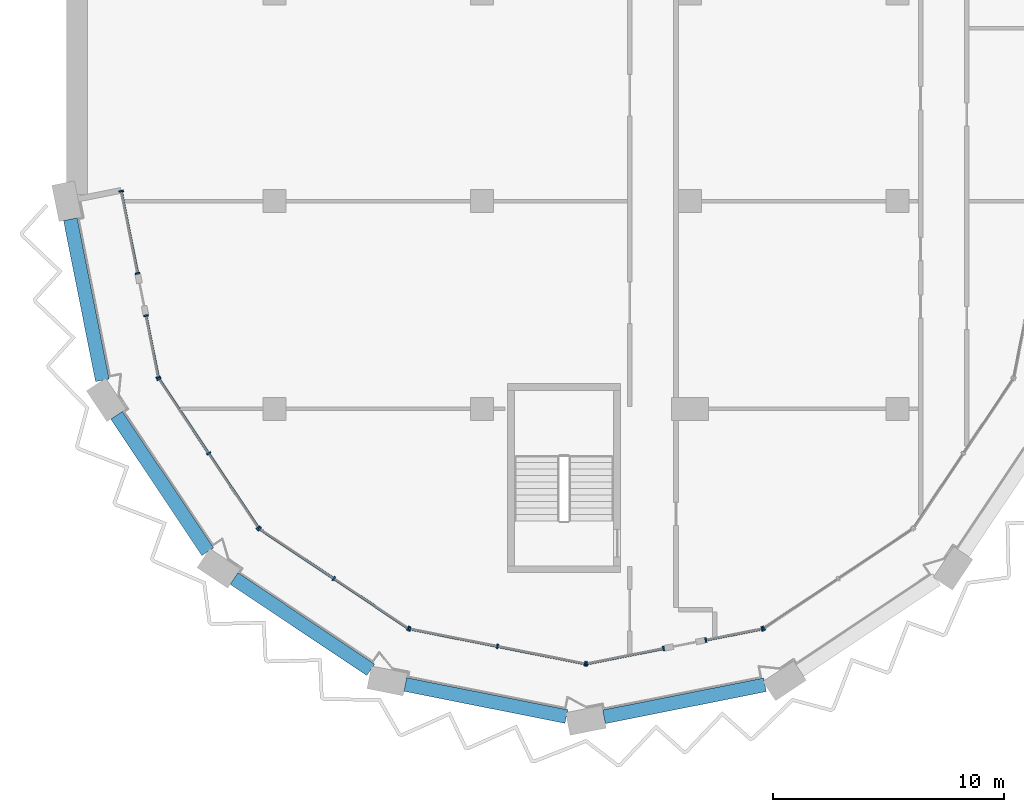
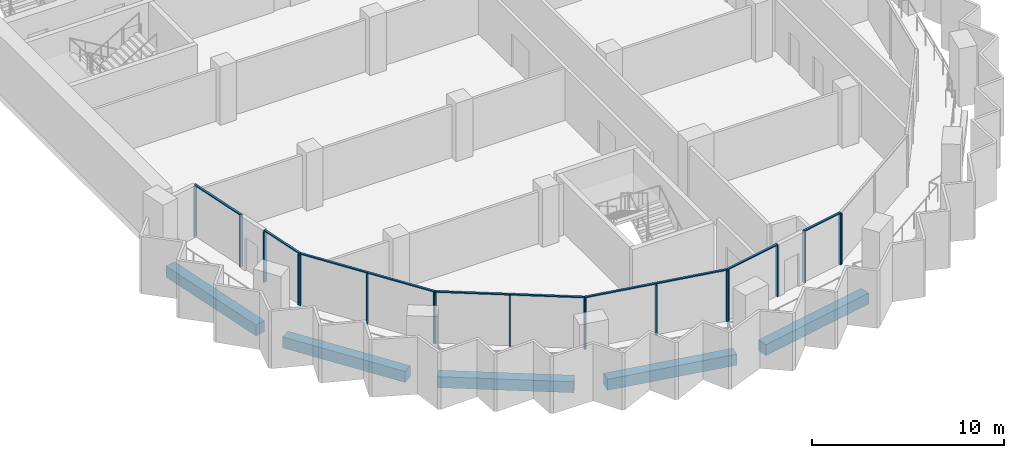
# One storey, part 2 of 16: 25 members, 5 beams, 8 elements without a shape of their own.
"""IFC4 building model written with IfcOpenShell, lengths in metres."""

from ifc_helpers import new_model, si_unit, direction, frame, origin, origin_2d, place, context, subcontext, project, spatial, rectangle, extrude, material, material_profile, profile_set, type_object, element, aggregate, save


model = new_model("IFC4")

# Units and contexts
model_context = context("Model", 3, precision=1e-05, world=origin(), true_north=direction((0.0, 1.0)))
body_context = subcontext(model_context, "Body", "Model", "MODEL_VIEW")
ifc_project = project(units=[si_unit("LENGTHUNIT", "METRE"), si_unit("AREAUNIT", "SQUARE_METRE"), si_unit("VOLUMEUNIT", "CUBIC_METRE"), si_unit("PLANEANGLEUNIT", "RADIAN"), si_unit("MASSUNIT", "GRAM", prefix="KILO")], contexts=[model_context])

# Site, building, storey
site_placement = place(None, origin())
site = spatial("IfcSite", under=ifc_project, at=site_placement, CompositionType="ELEMENT")
building_placement = place(site_placement, origin())
building = spatial("IfcBuilding", under=site, at=building_placement, Name="Hunhe Ridgeline Campus", CompositionType="ELEMENT")
storey_placement = place(building_placement, frame((0.0, 0.0, 239.199951171875)))
storey = spatial("IfcBuildingStorey", under=building, at=storey_placement, Name="L61", CompositionType="ELEMENT", Elevation=239.199951171875)

# Curtain wall, members
ifc_material_1 = material(Name="Aluminium 6063", Category="aluminium")
curtain_wall_type = type_object("IfcCurtainWallType", Name="Curtain wall CW-5", PredefinedType="NOTDEFINED", material=ifc_material_1)
curtain_wall_1_placement = place(storey_placement, origin())
curtain_wall_1 = element("IfcCurtainWall", 1, at=curtain_wall_1_placement, inside=storey, type_object=curtain_wall_type, Name="Curtain wall 01", PredefinedType="NOTDEFINED")
ifc_material_profile_1 = material_profile(ifc_material_1, rectangle(XDim=0.199951171875, YDim=0.070068359375, at=origin_2d()))
ifc_profile_set_1 = profile_set([ifc_material_profile_1], Name="Aluminium 6063")
member_type_1 = type_object("IfcMemberType", Name="CW-5 aluminium mullion", PredefinedType="MULLION", material=ifc_profile_set_1)
member_1_placement = place(storey_placement, frame((2.361572265625, 45.434326171875, 0.0), z_axis=(0.0, 0.0, 1.0), x_axis=(0.980784284924, 0.195095326561, 0.0)))
member_1 = element("IfcMember", 2, at=member_1_placement, type_object=member_type_1, Name="CW-5 mullion 1", PredefinedType="MULLION", context=body_context, shape_type="SweptSolid", body=[
    extrude(rectangle(XDim=0.199951171875, YDim=0.070068359375, at=origin_2d()), origin(), (0.0, 0.0, 1.0), 3.22998046875),
])
member_2_placement = place(storey_placement, frame((3.070068359375, 41.873291015625, 0.0), z_axis=(0.0, 0.0, 1.0), x_axis=(0.980784284924, 0.195095326561, 0.0)))
member_2 = element("IfcMember", 3, at=member_2_placement, type_object=member_type_1, Name="CW-5 mullion 2", PredefinedType="MULLION", context=body_context, shape_type="SweptSolid", body=[
    extrude(rectangle(XDim=0.199951171875, YDim=0.070068359375, at=origin_2d()), origin(), (0.0, 0.0, 1.0), 3.22998046875),
])

curtain_wall_2_placement = place(storey_placement, origin())
curtain_wall_2 = element("IfcCurtainWall", 4, at=curtain_wall_2_placement, inside=storey, type_object=curtain_wall_type, Name="Curtain wall 02", PredefinedType="NOTDEFINED")
member_3_placement = place(storey_placement, frame((3.434814453125, 40.0390625, 0.0), z_axis=(0.0, 0.0, 1.0), x_axis=(0.980784297053, 0.195095265587, 0.0)))
member_3 = element("IfcMember", 5, at=member_3_placement, type_object=member_type_1, Name="CW-5 mullion 1", PredefinedType="MULLION", context=body_context, shape_type="SweptSolid", body=[
    extrude(rectangle(XDim=0.199951171875, YDim=0.070068359375, at=origin_2d()), origin(), (0.0, 0.0, 1.0), 3.22998046875),
])
member_4_placement = place(storey_placement, frame((3.967529296875, 37.36083984375, 0.0), z_axis=(0.0, 0.0, 1.0), x_axis=(0.980784297053, 0.195095265587, 0.0)))
member_4 = element("IfcMember", 6, at=member_4_placement, type_object=member_type_1, Name="CW-5 mullion 2", PredefinedType="MULLION", context=body_context, shape_type="SweptSolid", body=[
    extrude(rectangle(XDim=0.199951171875, YDim=0.070068359375, at=origin_2d()), origin(), (0.0, 0.0, 1.0), 3.22998046875),
])

curtain_wall_3_placement = place(storey_placement, origin())
curtain_wall_3 = element("IfcCurtainWall", 7, at=curtain_wall_3_placement, inside=storey, type_object=curtain_wall_type, Name="Curtain wall 03", PredefinedType="NOTDEFINED")
member_5_placement = place(storey_placement, frame((3.993896484375, 37.29736328125, 0.0), z_axis=(0.0, 0.0, 1.0), x_axis=(0.831469584522, 0.555570274596, 0.0)))
member_5 = element("IfcMember", 8, at=member_5_placement, type_object=member_type_1, Name="CW-5 mullion 1", PredefinedType="MULLION", context=body_context, shape_type="SweptSolid", body=[
    extrude(rectangle(XDim=0.199951171875, YDim=0.070068359375, at=origin_2d()), origin(), (0.0, 0.0, 1.0), 3.22998046875),
])
member_6_placement = place(storey_placement, frame((6.147705078125, 34.07373046875, 0.0), z_axis=(0.0, 0.0, 1.0), x_axis=(0.831469584522, 0.555570274596, 0.0)))
member_6 = element("IfcMember", 9, at=member_6_placement, type_object=member_type_1, Name="CW-5 mullion 2", PredefinedType="MULLION", context=body_context, shape_type="SweptSolid", body=[
    extrude(rectangle(XDim=0.199951171875, YDim=0.070068359375, at=origin_2d()), origin(), (0.0, 0.0, 1.0), 3.22998046875),
])
member_7_placement = place(storey_placement, frame((8.3017578125, 30.850341796875, 0.0), z_axis=(0.0, 0.0, 1.0), x_axis=(0.831469584522, 0.555570274596, 0.0)))
member_7 = element("IfcMember", 10, at=member_7_placement, type_object=member_type_1, Name="CW-5 mullion 3", PredefinedType="MULLION", context=body_context, shape_type="SweptSolid", body=[
    extrude(rectangle(XDim=0.199951171875, YDim=0.070068359375, at=origin_2d()), origin(), (0.0, 0.0, 1.0), 3.22998046875),
])

curtain_wall_4_placement = place(storey_placement, origin())
curtain_wall_4 = element("IfcCurtainWall", 11, at=curtain_wall_4_placement, inside=storey, type_object=curtain_wall_type, Name="Curtain wall 04", PredefinedType="NOTDEFINED")
member_8_placement = place(storey_placement, frame((8.350341796875, 30.8017578125, 0.0), z_axis=(0.0, 0.0, 1.0), x_axis=(0.555570274596, 0.831469584522, 0.0)))
member_8 = element("IfcMember", 12, at=member_8_placement, type_object=member_type_1, Name="CW-5 mullion 1", PredefinedType="MULLION", context=body_context, shape_type="SweptSolid", body=[
    extrude(rectangle(XDim=0.199951171875, YDim=0.070068359375, at=origin_2d()), origin(), (0.0, 0.0, 1.0), 3.22998046875),
])
member_9_placement = place(storey_placement, frame((11.57373046875, 28.647705078125, 0.0), z_axis=(0.0, 0.0, 1.0), x_axis=(0.555570274596, 0.831469584522, 0.0)))
member_9 = element("IfcMember", 13, at=member_9_placement, type_object=member_type_1, Name="CW-5 mullion 2", PredefinedType="MULLION", context=body_context, shape_type="SweptSolid", body=[
    extrude(rectangle(XDim=0.199951171875, YDim=0.070068359375, at=origin_2d()), origin(), (0.0, 0.0, 1.0), 3.22998046875),
])
member_10_placement = place(storey_placement, frame((14.79736328125, 26.493896484375, 0.0), z_axis=(0.0, 0.0, 1.0), x_axis=(0.555570274596, 0.831469584522, 0.0)))
member_10 = element("IfcMember", 14, at=member_10_placement, type_object=member_type_1, Name="CW-5 mullion 3", PredefinedType="MULLION", context=body_context, shape_type="SweptSolid", body=[
    extrude(rectangle(XDim=0.199951171875, YDim=0.070068359375, at=origin_2d()), origin(), (0.0, 0.0, 1.0), 3.22998046875),
])

curtain_wall_5_placement = place(storey_placement, origin())
curtain_wall_5 = element("IfcCurtainWall", 15, at=curtain_wall_5_placement, inside=storey, type_object=curtain_wall_type, Name="Curtain wall 05", PredefinedType="NOTDEFINED")
member_11_placement = place(storey_placement, frame((14.86083984375, 26.467529296875, 0.0), z_axis=(0.0, 0.0, 1.0), x_axis=(0.195090347539, 0.980785275326, 0.0)))
member_11 = element("IfcMember", 16, at=member_11_placement, type_object=member_type_1, Name="CW-5 mullion 1", PredefinedType="MULLION", context=body_context, shape_type="SweptSolid", body=[
    extrude(rectangle(XDim=0.199951171875, YDim=0.070068359375, at=origin_2d()), origin(), (0.0, 0.0, 1.0), 3.22998046875),
])
member_12_placement = place(storey_placement, frame((18.663330078125, 25.711181640625, 0.0), z_axis=(0.0, 0.0, 1.0), x_axis=(0.195090347539, 0.980785275326, 0.0)))
member_12 = element("IfcMember", 17, at=member_12_placement, type_object=member_type_1, Name="CW-5 mullion 2", PredefinedType="MULLION", context=body_context, shape_type="SweptSolid", body=[
    extrude(rectangle(XDim=0.199951171875, YDim=0.070068359375, at=origin_2d()), origin(), (0.0, 0.0, 1.0), 3.22998046875),
])
member_13_placement = place(storey_placement, frame((22.465576171875, 24.954833984375, 0.0), z_axis=(0.0, 0.0, 1.0), x_axis=(0.195090347539, 0.980785275326, 0.0)))
member_13 = element("IfcMember", 18, at=member_13_placement, type_object=member_type_1, Name="CW-5 mullion 3", PredefinedType="MULLION", context=body_context, shape_type="SweptSolid", body=[
    extrude(rectangle(XDim=0.199951171875, YDim=0.070068359375, at=origin_2d()), origin(), (0.0, 0.0, 1.0), 3.22998046875),
])

curtain_wall_6_placement = place(storey_placement, origin())
curtain_wall_6 = element("IfcCurtainWall", 19, at=curtain_wall_6_placement, inside=storey, type_object=curtain_wall_type, Name="Curtain wall 06", PredefinedType="NOTDEFINED")
member_14_placement = place(storey_placement, frame((22.534423828125, 24.954833984375, 0.0), z_axis=(0.0, 0.0, 1.0), x_axis=(-0.19509037034, 0.980785270791, 0.0)))
member_14 = element("IfcMember", 20, at=member_14_placement, type_object=member_type_1, Name="CW-5 mullion 1", PredefinedType="MULLION", context=body_context, shape_type="SweptSolid", body=[
    extrude(rectangle(XDim=0.199951171875, YDim=0.070068359375, at=origin_2d()), origin(), (0.0, 0.0, 1.0), 3.22998046875),
])
member_15_placement = place(storey_placement, frame((25.861083984375, 25.61669921875, 0.0), z_axis=(0.0, 0.0, 1.0), x_axis=(-0.19509037034, 0.980785270791, 0.0)))
member_15 = element("IfcMember", 21, at=member_15_placement, type_object=member_type_1, Name="CW-5 mullion 2", PredefinedType="MULLION", context=body_context, shape_type="SweptSolid", body=[
    extrude(rectangle(XDim=0.199951171875, YDim=0.070068359375, at=origin_2d()), origin(), (0.0, 0.0, 1.0), 3.22998046875),
])

curtain_wall_7_placement = place(storey_placement, origin())
curtain_wall_7 = element("IfcCurtainWall", 22, at=curtain_wall_7_placement, inside=storey, type_object=curtain_wall_type, Name="Curtain wall 07", PredefinedType="NOTDEFINED")
member_16_placement = place(storey_placement, frame((27.695068359375, 25.9814453125, 0.0), z_axis=(0.0, 0.0, 1.0), x_axis=(-0.195090514627, 0.980785242091, 0.0)))
member_16 = element("IfcMember", 23, at=member_16_placement, type_object=member_type_1, Name="CW-5 mullion 1", PredefinedType="MULLION", context=body_context, shape_type="SweptSolid", body=[
    extrude(rectangle(XDim=0.199951171875, YDim=0.070068359375, at=origin_2d()), origin(), (0.0, 0.0, 1.0), 3.22998046875),
])
member_17_placement = place(storey_placement, frame((30.13916015625, 26.467529296875, 0.0), z_axis=(0.0, 0.0, 1.0), x_axis=(-0.195090514627, 0.980785242091, 0.0)))
member_17 = element("IfcMember", 24, at=member_17_placement, type_object=member_type_1, Name="CW-5 mullion 2", PredefinedType="MULLION", context=body_context, shape_type="SweptSolid", body=[
    extrude(rectangle(XDim=0.199951171875, YDim=0.070068359375, at=origin_2d()), origin(), (0.0, 0.0, 1.0), 3.22998046875),
])

# Curtain wall, member
curtain_wall_8_placement = place(storey_placement, origin())
curtain_wall_8 = element("IfcCurtainWall", 25, at=curtain_wall_8_placement, inside=storey, type_object=curtain_wall_type, Name="Curtain wall 08", PredefinedType="NOTDEFINED")
member_18_placement = place(storey_placement, frame((30.20263671875, 26.493896484375, 0.0), z_axis=(0.0, 0.0, 1.0), x_axis=(-0.555570274596, 0.831469584522, 0.0)))
member_18 = element("IfcMember", 26, at=member_18_placement, type_object=member_type_1, Name="CW-5 mullion 1", PredefinedType="MULLION", context=body_context, shape_type="SweptSolid", body=[
    extrude(rectangle(XDim=0.199951171875, YDim=0.070068359375, at=origin_2d()), origin(), (0.0, 0.0, 1.0), 3.22998046875),
])
aggregate(curtain_wall_8, [member_18])

# Member
ifc_material_profile_2 = material_profile(ifc_material_1, rectangle(XDim=0.1201171875, YDim=0.070068359375, at=origin_2d()))
ifc_profile_set_2 = profile_set([ifc_material_profile_2], Name="Aluminium 6063")
member_type_2 = type_object("IfcMemberType", Name="CW-5 aluminium transom", PredefinedType="USERDEFINED", material=ifc_profile_set_2)
member_19_placement = place(storey_placement, frame((2.354736328125, 45.46875, 3.26513671875), z_axis=(0.195126549745, -0.980778073564, 0.0), x_axis=(0.980778073564, 0.195126549745, 0.0)))
member_19 = element("IfcMember", 27, at=member_19_placement, type_object=member_type_2, Name="CW-5 transom 1", ObjectType="TRANSOM", PredefinedType="USERDEFINED", context=body_context, shape_type="SweptSolid", body=[
    extrude(rectangle(XDim=0.1201171875, YDim=0.070068359375, at=origin_2d()), origin(), (0.0, 0.0, 1.0), 3.700927734375),
])

aggregate(curtain_wall_1, [member_19, member_1, member_2])

member_20_placement = place(storey_placement, frame((3.427978515625, 40.073486328125, 3.26513671875), z_axis=(0.195076742145, -0.98078798151, 0.0), x_axis=(0.98078798151, 0.195076742145, 0.0)))
member_20 = element("IfcMember", 28, at=member_20_placement, type_object=member_type_2, Name="CW-5 transom 1", ObjectType="TRANSOM", PredefinedType="USERDEFINED", context=body_context, shape_type="SweptSolid", body=[
    extrude(rectangle(XDim=0.1201171875, YDim=0.070068359375, at=origin_2d()), origin(), (0.0, 0.0, 1.0), 2.80078125),
])

aggregate(curtain_wall_2, [member_20, member_3, member_4])

member_21_placement = place(storey_placement, frame((3.974365234375, 37.326416015625, 3.26513671875), z_axis=(0.5555640203, -0.831473763475, 0.0), x_axis=(0.831473763475, 0.5555640203, 0.0)))
member_21 = element("IfcMember", 29, at=member_21_placement, type_object=member_type_2, Name="CW-5 transom 1", ObjectType="TRANSOM", PredefinedType="USERDEFINED", context=body_context, shape_type="SweptSolid", body=[
    extrude(rectangle(XDim=0.1201171875, YDim=0.070068359375, at=origin_2d()), origin(), (0.0, 0.0, 1.0), 7.823974609375),
])

aggregate(curtain_wall_3, [member_21, member_5, member_6, member_7])

member_22_placement = place(storey_placement, frame((8.321044921875, 30.821044921875, 3.26513671875), z_axis=(0.831473763475, -0.5555640203, 0.0), x_axis=(0.5555640203, 0.831473763475, 0.0)))
member_22 = element("IfcMember", 30, at=member_22_placement, type_object=member_type_2, Name="CW-5 transom 1", ObjectType="TRANSOM", PredefinedType="USERDEFINED", context=body_context, shape_type="SweptSolid", body=[
    extrude(rectangle(XDim=0.1201171875, YDim=0.070068359375, at=origin_2d()), origin(), (0.0, 0.0, 1.0), 7.823974609375),
])

aggregate(curtain_wall_4, [member_22, member_8, member_9, member_10])

member_23_placement = place(storey_placement, frame((14.826416015625, 26.474365234375, 3.26513671875), z_axis=(0.980785367689, -0.195089883198, 0.0), x_axis=(0.195089883198, 0.980785367689, 0.0)))
member_23 = element("IfcMember", 31, at=member_23_placement, type_object=member_type_2, Name="CW-5 transom 1", ObjectType="TRANSOM", PredefinedType="USERDEFINED", context=body_context, shape_type="SweptSolid", body=[
    extrude(rectangle(XDim=0.1201171875, YDim=0.070068359375, at=origin_2d()), origin(), (0.0, 0.0, 1.0), 7.823974609375),
])

aggregate(curtain_wall_5, [member_23, member_11, member_12, member_13])

member_24_placement = place(storey_placement, frame((22.5, 24.947998046875, 3.26513671875), z_axis=(0.980778171596, 0.195126057004, 0.0), x_axis=(-0.195126057004, 0.980778171596, 0.0)))
member_24 = element("IfcMember", 32, at=member_24_placement, type_object=member_type_2, Name="CW-5 transom 1", ObjectType="TRANSOM", PredefinedType="USERDEFINED", context=body_context, shape_type="SweptSolid", body=[
    extrude(rectangle(XDim=0.1201171875, YDim=0.070068359375, at=origin_2d()), origin(), (0.0, 0.0, 1.0), 3.462158203125),
])

aggregate(curtain_wall_6, [member_24, member_14, member_15])

member_25_placement = place(storey_placement, frame((27.660888671875, 25.974609375, 3.26513671875), z_axis=(0.980789038007, 0.195071430315, 0.0), x_axis=(-0.195071430315, 0.980789038007, 0.0)))
member_25 = element("IfcMember", 33, at=member_25_placement, type_object=member_type_2, Name="CW-5 transom 1", ObjectType="TRANSOM", PredefinedType="USERDEFINED", context=body_context, shape_type="SweptSolid", body=[
    extrude(rectangle(XDim=0.1201171875, YDim=0.070068359375, at=origin_2d()), origin(), (0.0, 0.0, 1.0), 2.56201171875),
])

aggregate(curtain_wall_7, [member_25, member_16, member_17])

# Beams
ifc_material_2 = material(Name="Concrete C50", Category="concrete")
ifc_material_profile_3 = material_profile(ifc_material_2, rectangle(XDim=0.60009765625, YDim=0.699951171875, at=origin_2d()))
ifc_profile_set_3 = profile_set([ifc_material_profile_3], Name="Concrete C50")
beam_type = type_object("IfcBeamType", Name="RC spandrel beam 600x700 Concrete C50", PredefinedType="SPANDREL", material=ifc_profile_set_3)
for number, where, z_axis, x_axis, name in (
    (34, (0.156005859375, 44.21533203125, -0.599853515625), (0.195092933717, -0.9807847609, 0.0), (0.9807847609, 0.195092933717, 0.0), "Spandrel beam B4-1 L61"),
    (35, (2.1572265625, 35.724365234375, -0.599853515625), (0.55557907181, -0.831463706344, 0.0), (0.831463706344, 0.55557907181, 0.0), "Spandrel beam B4-2 L61"),
    (36, (7.25537109375, 28.645751953125, -0.599853515625), (0.831463706344, -0.55557907181, 0.0), (0.55557907181, 0.831463706344, 0.0), "Spandrel beam B4-3 L61"),
    (37, (14.67431640625, 24.056640625, -0.599853515625), (0.9807847609, -0.195092933717, 0.0), (0.195092933717, 0.9807847609, 0.0), "Spandrel beam B4-4 L61"),
    (38, (23.28466796875, 22.656005859375, -0.599853515625), (0.9807847609, 0.195092933717, 0.0), (-0.195092933717, 0.9807847609, 0.0), "Spandrel beam B4-5 L61"),
):
    element("IfcBeam", number, at=place(storey_placement, frame(where, z_axis=z_axis, x_axis=x_axis)), inside=storey, type_object=beam_type, Name=name, PredefinedType="SPANDREL", context=body_context, shape_type="SweptSolid", body=[
        extrude(rectangle(XDim=0.60009765625, YDim=0.699951171875, at=origin_2d()), origin(), (0.0, 0.0, 1.0), 7.113037109375),
    ])

save(model, "model.ifc")
